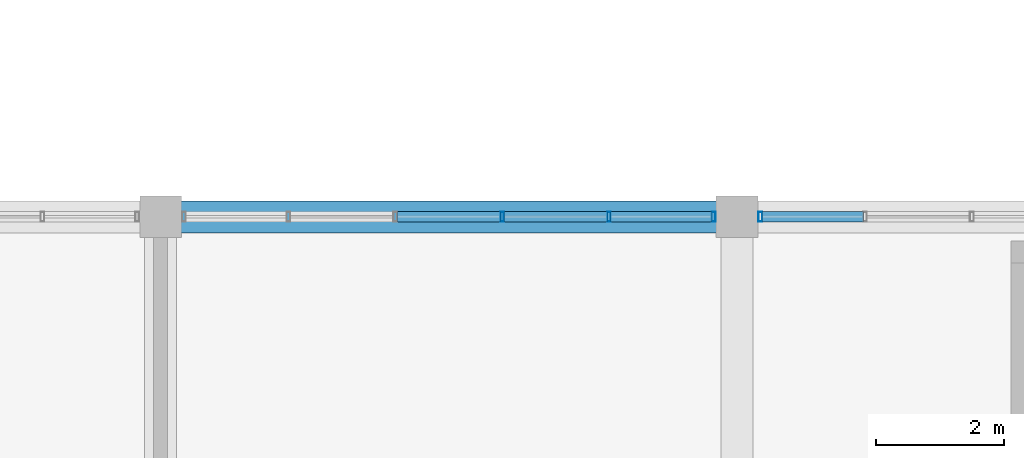
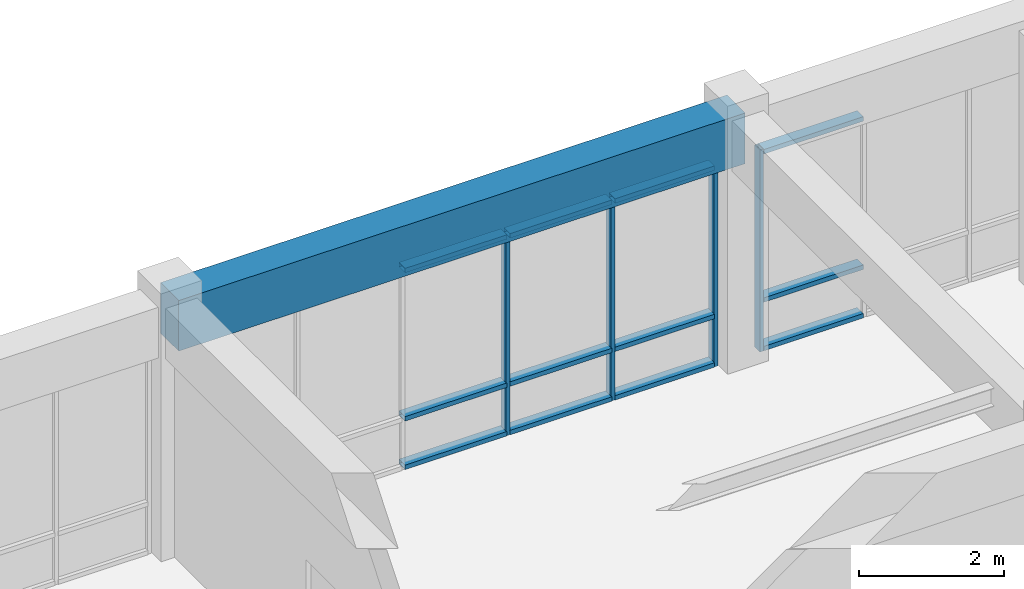
# One storey, part 9 of 55: 16 members, 1 beam, 2 elements without a shape of their own.
"""IFC4 building model written with IfcOpenShell, lengths in metres."""

from ifc_helpers import new_model, si_unit, direction, frame, origin, origin_2d, place, context, subcontext, project, spatial, rectangle, hollow_rectangle, extrude, material, layer, layer_set, material_profile, profile_set, type_object, element, aggregate, save


model = new_model("IFC4")

# Units and contexts
model_context = context("Model", 3, precision=1e-05, world=origin(), true_north=direction((0.0, 1.0)))
body_context = subcontext(model_context, "Body", "Model", "MODEL_VIEW")
ifc_project = project(units=[si_unit("LENGTHUNIT", "METRE"), si_unit("AREAUNIT", "SQUARE_METRE"), si_unit("VOLUMEUNIT", "CUBIC_METRE"), si_unit("PLANEANGLEUNIT", "RADIAN"), si_unit("MASSUNIT", "GRAM", prefix="KILO")], contexts=[model_context])

# Site, building, storey
site_placement = place(None, origin())
site = spatial("IfcSite", under=ifc_project, at=site_placement, CompositionType="ELEMENT")
building_placement = place(site_placement, origin())
building = spatial("IfcBuilding", under=site, at=building_placement, Name="Ventoquebrada Cableway Terminal", CompositionType="ELEMENT")
storey_placement = place(building_placement, frame((0.0, 0.0, 14.39990234375)))
storey = spatial("IfcBuildingStorey", under=building, at=storey_placement, Name="L03", CompositionType="ELEMENT", Elevation=14.39990234375)

# Beam
ifc_material_1 = material(Name="Concrete C40/50", Category="concrete")
ifc_material_profile_1 = material_profile(ifc_material_1, rectangle(XDim=0.5, YDim=0.85009765625, at=origin_2d()), Name="RC-BM-500X850")
ifc_profile_set_1 = profile_set([ifc_material_profile_1], Name="Concrete C40/50")
beam_type = type_object("IfcBeamType", Name="BM-RC04", PredefinedType="BEAM", material=ifc_profile_set_1)
beam_placement = place(storey_placement, frame((8.199951171875, 38.199951171875, 3.80517578125), z_axis=(1.0, 0.0, 0.0), x_axis=(0.0, 1.0, 0.0)))
element("IfcBeam", 1, at=beam_placement, inside=storey, type_object=beam_type, Name="Primary frame girder FBM-0239", PredefinedType="BEAM", context=body_context, shape_type="SweptSolid", body=[
    extrude(rectangle(XDim=0.5, YDim=0.85009765625, at=origin_2d()), origin(), (0.0, 0.0, 1.0), 9.0),
])

# Curtain wall, members
ifc_material_2 = material(Name="Anodized thermally-broken aluminium", Category="aluminium")
ifc_layer = layer(ifc_material_2, 0.159912109375)
ifc_layer_set = layer_set([ifc_layer], Name="Anodized thermally-broken aluminium")
curtain_wall_type = type_object("IfcCurtainWallType", Name="CW-T11", PredefinedType="USERDEFINED", material=ifc_layer_set)
curtain_wall_1_placement = place(storey_placement, origin())
curtain_wall_1 = element("IfcCurtainWall", 2, at=curtain_wall_1_placement, inside=storey, type_object=curtain_wall_type, Name="Unitised glazed curtain wall CW-021", ObjectType="UNITISED CURTAIN WALL", PredefinedType="USERDEFINED")
ifc_material_profile_2 = material_profile(ifc_material_2, hollow_rectangle(XDim=0.06005859375, YDim=0.14990234375, WallThickness=0.00390625, at=origin_2d()), Name="CW-MUL-60X150")
ifc_profile_set_2 = profile_set([ifc_material_profile_2], Name="Anodized thermally-broken aluminium")
member_type_1 = type_object("IfcMemberType", Name="CWM-03", PredefinedType="MULLION", material=ifc_profile_set_2)
member_1_placement = place(storey_placement, frame((16.8349609375, 38.199951171875, -0.0078125), z_axis=(0.0, 0.0, 1.0), x_axis=(-1.0, 0.0, 0.0)))
member_1 = element("IfcMember", 3, at=member_1_placement, type_object=member_type_1, Name="Curtain wall mullion FML-0094", PredefinedType="MULLION", context=body_context, shape_type="SweptSolid", body=[
    extrude(hollow_rectangle(XDim=0.06005859375, YDim=0.14990234375, WallThickness=0.00390625, at=origin_2d()), origin(), (0.0, 0.0, 1.0), 3.387939453125),
])
member_2_placement = place(storey_placement, frame((15.201904296875, 38.199951171875, -0.0078125), z_axis=(0.0, 0.0, 1.0), x_axis=(-1.0, 0.0, 0.0)))
member_2 = element("IfcMember", 4, at=member_2_placement, type_object=member_type_1, Name="Curtain wall mullion FML-0095", PredefinedType="MULLION", context=body_context, shape_type="SweptSolid", body=[
    extrude(hollow_rectangle(XDim=0.06005859375, YDim=0.14990234375, WallThickness=0.00390625, at=origin_2d()), origin(), (0.0, 0.0, 1.0), 3.387939453125),
])
member_3_placement = place(storey_placement, frame((13.533935546875, 38.199951171875, -0.0078125), z_axis=(0.0, 0.0, 1.0), x_axis=(-1.0, 0.0, 0.0)))
member_3 = element("IfcMember", 5, at=member_3_placement, type_object=member_type_1, Name="Curtain wall mullion FML-0096", PredefinedType="MULLION", context=body_context, shape_type="SweptSolid", body=[
    extrude(hollow_rectangle(XDim=0.06005859375, YDim=0.14990234375, WallThickness=0.00390625, at=origin_2d()), origin(), (0.0, 0.0, 1.0), 3.387939453125),
])

# Curtain wall, member
curtain_wall_2_placement = place(storey_placement, origin())
curtain_wall_2 = element("IfcCurtainWall", 6, at=curtain_wall_2_placement, inside=storey, type_object=curtain_wall_type, Name="Unitised glazed curtain wall CW-022", ObjectType="UNITISED CURTAIN WALL", PredefinedType="USERDEFINED")
member_4_placement = place(storey_placement, frame((17.56494140625, 38.199951171875, -0.0078125), z_axis=(0.0, 0.0, 1.0), x_axis=(-1.0, 0.0, 0.0)))
member_4 = element("IfcMember", 7, at=member_4_placement, type_object=member_type_1, Name="Curtain wall mullion FML-0105", PredefinedType="MULLION", context=body_context, shape_type="SweptSolid", body=[
    extrude(hollow_rectangle(XDim=0.06005859375, YDim=0.14990234375, WallThickness=0.00390625, at=origin_2d()), origin(), (0.0, 0.0, 1.0), 3.387939453125),
])

# Member
ifc_material_profile_3 = material_profile(ifc_material_2, hollow_rectangle(XDim=0.074951171875, YDim=0.169921875, WallThickness=0.00439453125, at=origin_2d()), Name="CW-TRN-75X170")
ifc_profile_set_3 = profile_set([ifc_material_profile_3], Name="Anodized thermally-broken aluminium")
member_type_2 = type_object("IfcMemberType", Name="CWT-03", PredefinedType="USERDEFINED", material=ifc_profile_set_3)
member_5_placement = place(storey_placement, frame((16.81005859375, 38.199951171875, 0.03515625), z_axis=(-1.0, 0.0, 0.0), x_axis=(0.0, 0.0, 1.0)))
member_5 = element("IfcMember", 8, at=member_5_placement, type_object=member_type_2, Name="Curtain wall transom FTR-0281", ObjectType="TRANSOM", PredefinedType="USERDEFINED", context=body_context, shape_type="SweptSolid", body=[
    extrude(hollow_rectangle(XDim=0.074951171875, YDim=0.169921875, WallThickness=0.00439453125, at=origin_2d()), origin(), (0.0, 0.0, 1.0), 1.5830078125),
])

member_6_placement = place(storey_placement, frame((16.81005859375, 38.199951171875, 0.85009765625), z_axis=(-1.0, 0.0, 0.0), x_axis=(0.0, 0.0, 1.0)))
member_6 = element("IfcMember", 9, at=member_6_placement, type_object=member_type_2, Name="Curtain wall transom FTR-0282", ObjectType="TRANSOM", PredefinedType="USERDEFINED", context=body_context, shape_type="SweptSolid", body=[
    extrude(hollow_rectangle(XDim=0.074951171875, YDim=0.169921875, WallThickness=0.00439453125, at=origin_2d()), origin(), (0.0, 0.0, 1.0), 1.5830078125),
])

member_7_placement = place(storey_placement, frame((16.81005859375, 38.199951171875, 3.340087890625), z_axis=(-1.0, 0.0, 0.0), x_axis=(0.0, 0.0, 1.0)))
member_7 = element("IfcMember", 10, at=member_7_placement, type_object=member_type_2, Name="Curtain wall transom FTR-0283", ObjectType="TRANSOM", PredefinedType="USERDEFINED", context=body_context, shape_type="SweptSolid", body=[
    extrude(hollow_rectangle(XDim=0.074951171875, YDim=0.169921875, WallThickness=0.00439453125, at=origin_2d()), origin(), (0.0, 0.0, 1.0), 1.5830078125),
])

member_8_placement = place(storey_placement, frame((15.177001953125, 38.199951171875, 0.03515625), z_axis=(-1.0, 0.0, 0.0), x_axis=(0.0, 0.0, 1.0)))
member_8 = element("IfcMember", 11, at=member_8_placement, type_object=member_type_2, Name="Curtain wall transom FTR-0284", ObjectType="TRANSOM", PredefinedType="USERDEFINED", context=body_context, shape_type="SweptSolid", body=[
    extrude(hollow_rectangle(XDim=0.074951171875, YDim=0.169921875, WallThickness=0.00439453125, at=origin_2d()), origin(), (0.0, 0.0, 1.0), 1.617919921875),
])

member_9_placement = place(storey_placement, frame((15.177001953125, 38.199951171875, 0.85009765625), z_axis=(-1.0, 0.0, 0.0), x_axis=(0.0, 0.0, 1.0)))
member_9 = element("IfcMember", 12, at=member_9_placement, type_object=member_type_2, Name="Curtain wall transom FTR-0285", ObjectType="TRANSOM", PredefinedType="USERDEFINED", context=body_context, shape_type="SweptSolid", body=[
    extrude(hollow_rectangle(XDim=0.074951171875, YDim=0.169921875, WallThickness=0.00439453125, at=origin_2d()), origin(), (0.0, 0.0, 1.0), 1.617919921875),
])

member_10_placement = place(storey_placement, frame((15.177001953125, 38.199951171875, 3.340087890625), z_axis=(-1.0, 0.0, 0.0), x_axis=(0.0, 0.0, 1.0)))
member_10 = element("IfcMember", 13, at=member_10_placement, type_object=member_type_2, Name="Curtain wall transom FTR-0286", ObjectType="TRANSOM", PredefinedType="USERDEFINED", context=body_context, shape_type="SweptSolid", body=[
    extrude(hollow_rectangle(XDim=0.074951171875, YDim=0.169921875, WallThickness=0.00439453125, at=origin_2d()), origin(), (0.0, 0.0, 1.0), 1.617919921875),
])

member_11_placement = place(storey_placement, frame((13.509033203125, 38.199951171875, 0.03515625), z_axis=(-1.0, 0.0, 0.0), x_axis=(0.0, 0.0, 1.0)))
member_11 = element("IfcMember", 14, at=member_11_placement, type_object=member_type_2, Name="Curtain wall transom FTR-0287", ObjectType="TRANSOM", PredefinedType="USERDEFINED", context=body_context, shape_type="SweptSolid", body=[
    extrude(hollow_rectangle(XDim=0.074951171875, YDim=0.169921875, WallThickness=0.00439453125, at=origin_2d()), origin(), (0.0, 0.0, 1.0), 1.617919921875),
])

member_12_placement = place(storey_placement, frame((13.509033203125, 38.199951171875, 0.85009765625), z_axis=(-1.0, 0.0, 0.0), x_axis=(0.0, 0.0, 1.0)))
member_12 = element("IfcMember", 15, at=member_12_placement, type_object=member_type_2, Name="Curtain wall transom FTR-0288", ObjectType="TRANSOM", PredefinedType="USERDEFINED", context=body_context, shape_type="SweptSolid", body=[
    extrude(hollow_rectangle(XDim=0.074951171875, YDim=0.169921875, WallThickness=0.00439453125, at=origin_2d()), origin(), (0.0, 0.0, 1.0), 1.617919921875),
])

member_13_placement = place(storey_placement, frame((13.509033203125, 38.199951171875, 3.340087890625), z_axis=(-1.0, 0.0, 0.0), x_axis=(0.0, 0.0, 1.0)))
member_13 = element("IfcMember", 16, at=member_13_placement, type_object=member_type_2, Name="Curtain wall transom FTR-0289", ObjectType="TRANSOM", PredefinedType="USERDEFINED", context=body_context, shape_type="SweptSolid", body=[
    extrude(hollow_rectangle(XDim=0.074951171875, YDim=0.169921875, WallThickness=0.00439453125, at=origin_2d()), origin(), (0.0, 0.0, 1.0), 1.617919921875),
])

aggregate(curtain_wall_1, [member_1, member_2, member_3, member_5, member_6, member_7, member_8, member_9, member_10, member_11, member_12, member_13])

member_14_placement = place(storey_placement, frame((19.173095703125, 38.199951171875, 0.03515625), z_axis=(-1.0, 0.0, 0.0), x_axis=(0.0, 0.0, 1.0)))
member_14 = element("IfcMember", 17, at=member_14_placement, type_object=member_type_2, Name="Curtain wall transom FTR-0308", ObjectType="TRANSOM", PredefinedType="USERDEFINED", context=body_context, shape_type="SweptSolid", body=[
    extrude(hollow_rectangle(XDim=0.074951171875, YDim=0.169921875, WallThickness=0.00439453125, at=origin_2d()), origin(), (0.0, 0.0, 1.0), 1.5830078125),
])

member_15_placement = place(storey_placement, frame((19.173095703125, 38.199951171875, 0.85009765625), z_axis=(-1.0, 0.0, 0.0), x_axis=(0.0, 0.0, 1.0)))
member_15 = element("IfcMember", 18, at=member_15_placement, type_object=member_type_2, Name="Curtain wall transom FTR-0309", ObjectType="TRANSOM", PredefinedType="USERDEFINED", context=body_context, shape_type="SweptSolid", body=[
    extrude(hollow_rectangle(XDim=0.074951171875, YDim=0.169921875, WallThickness=0.00439453125, at=origin_2d()), origin(), (0.0, 0.0, 1.0), 1.5830078125),
])

member_16_placement = place(storey_placement, frame((19.173095703125, 38.199951171875, 3.340087890625), z_axis=(-1.0, 0.0, 0.0), x_axis=(0.0, 0.0, 1.0)))
member_16 = element("IfcMember", 19, at=member_16_placement, type_object=member_type_2, Name="Curtain wall transom FTR-0310", ObjectType="TRANSOM", PredefinedType="USERDEFINED", context=body_context, shape_type="SweptSolid", body=[
    extrude(hollow_rectangle(XDim=0.074951171875, YDim=0.169921875, WallThickness=0.00439453125, at=origin_2d()), origin(), (0.0, 0.0, 1.0), 1.5830078125),
])

aggregate(curtain_wall_2, [member_4, member_14, member_15, member_16])

save(model, "model.ifc")
